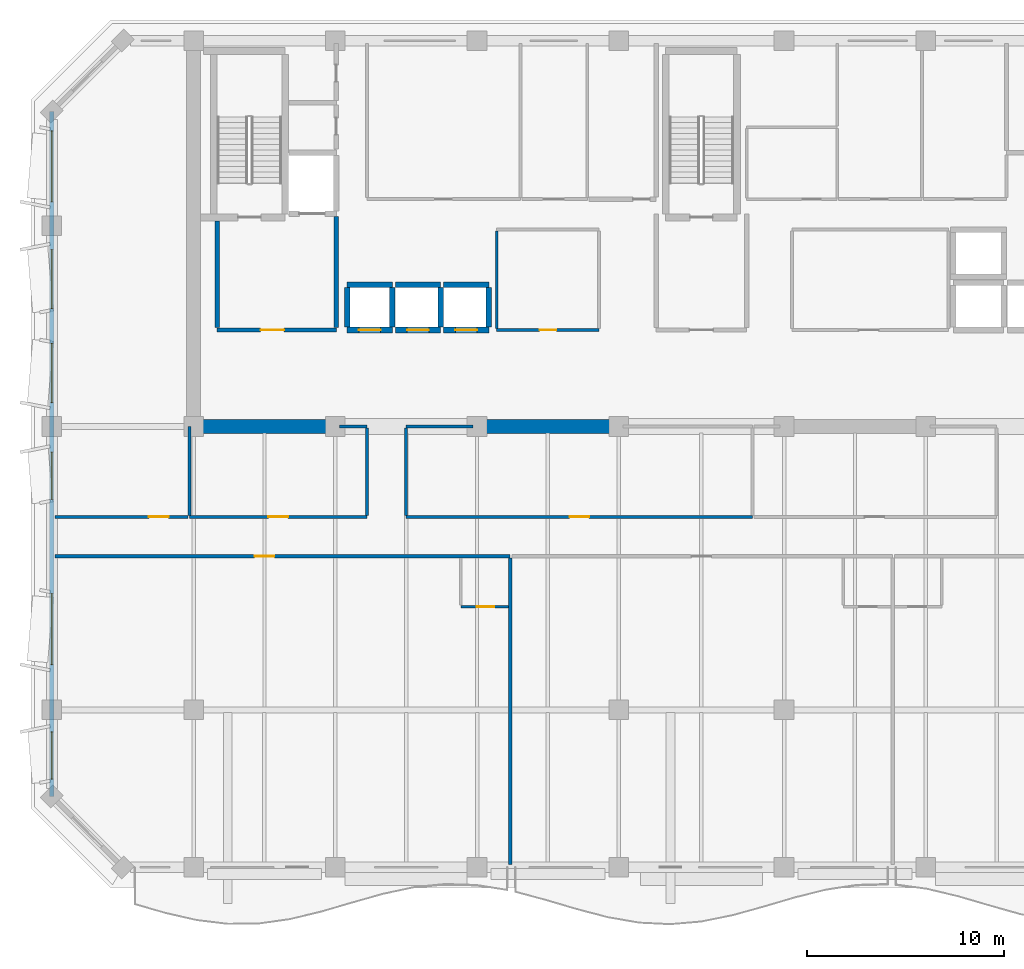
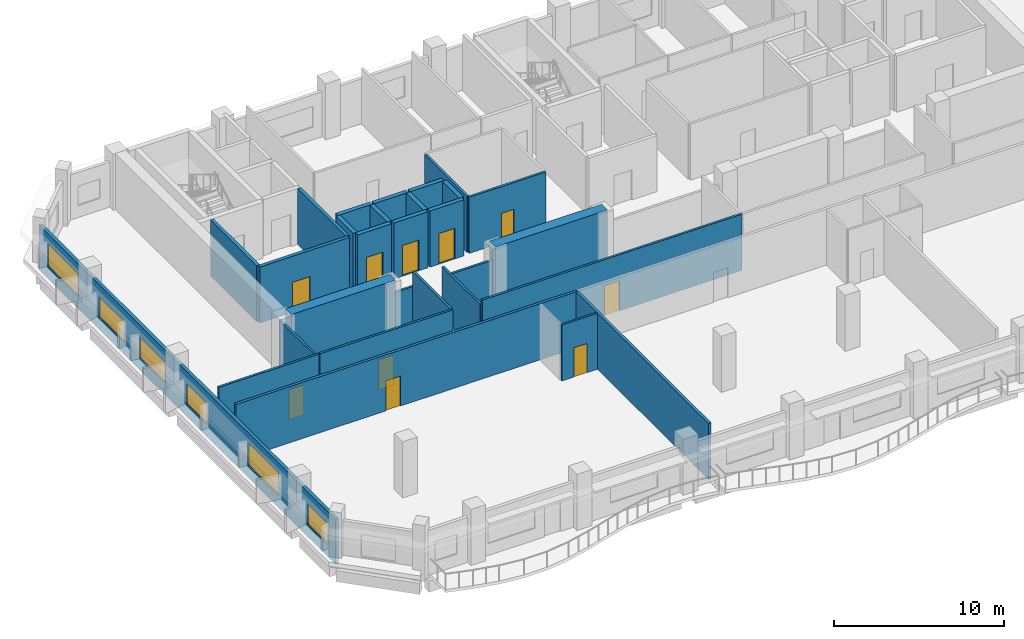
# One storey, part 3 of 10: 29 walls, 10 doors, 6 windows, 16 openings.
"""IFC4 building model written with IfcOpenShell, lengths in metres."""

from ifc_helpers import new_model, si_unit, direction, frame, frame_2d, origin, place, context, subcontext, project, spatial, rectangle, extrude, material, layer, layer_set, type_object, element, fill, save


model = new_model("IFC4")

# Units and contexts
model_context = context("Model", 3, precision=1e-05, world=origin(), true_north=direction((0.0, 1.0)))
body_context = subcontext(model_context, "Body", "Model", "MODEL_VIEW")
ifc_project = project(units=[si_unit("LENGTHUNIT", "METRE"), si_unit("AREAUNIT", "SQUARE_METRE"), si_unit("VOLUMEUNIT", "CUBIC_METRE"), si_unit("PLANEANGLEUNIT", "RADIAN"), si_unit("MASSUNIT", "GRAM", prefix="KILO")], contexts=[model_context])

# Site, building, storey
site_placement = place(None, origin())
site = spatial("IfcSite", under=ifc_project, at=site_placement, CompositionType="ELEMENT")
building_placement = place(site_placement, origin())
building = spatial("IfcBuilding", under=site, at=building_placement, Name="Kaelvorn Grand Hotel", CompositionType="ELEMENT")
storey_placement = place(building_placement, frame((0.0, 0.0, 290.300048828125)))
storey = spatial("IfcBuildingStorey", under=building, at=storey_placement, Name="L71", CompositionType="ELEMENT", Elevation=290.300048828125)

# Walls
ifc_material_1 = material(Name="Concrete C50/60", Category="concrete")
ifc_layer_1 = layer(ifc_material_1, 0.699951171875)
ifc_layer_set_1 = layer_set([ifc_layer_1], Name="Concrete C50/60")
wall_type_1 = type_object("IfcWallType", Name="WL-CORE-700-C50", PredefinedType="SHEAR", material=ifc_layer_set_1)
wall_1_placement = place(storey_placement, frame((16.554931640625, 29.39990234375, 0.0), z_axis=(0.0, 0.0, 1.0), x_axis=(1.0, 0.0, 0.0)))
element("IfcWall", 1, at=wall_1_placement, inside=storey, type_object=wall_type_1, Name="L71 Rear-Core Coupled Shear Pier S1", PredefinedType="SHEAR", context=body_context, shape_type="SweptSolid", body=[
    extrude(rectangle(XDim=7.045166015625, YDim=0.699951171875, at=frame_2d((3.5224609375, 0.0))), origin(), (0.0, 0.0, 1.0), 4.02001953125),
])
wall_2_placement = place(storey_placement, frame((30.39990234375, 29.39990234375, 0.0), z_axis=(0.0, 0.0, 1.0), x_axis=(1.0, 0.0, 0.0)))
element("IfcWall", 2, at=wall_2_placement, inside=storey, type_object=wall_type_1, Name="L71 Rear-Core Coupled Shear Pier S2", PredefinedType="SHEAR", context=body_context, shape_type="SweptSolid", body=[
    extrude(rectangle(XDim=7.60009765625, YDim=0.699951171875, at=frame_2d((3.800048828125, 0.0))), origin(), (0.0, 0.0, 1.0), 4.02001953125),
])

# Wall, openings, windows
ifc_material_2 = material(Name="Concrete C40/50", Category="concrete")
ifc_layer_2 = layer(ifc_material_2, 0.219970703125)
ifc_layer_set_2 = layer_set([ifc_layer_2], Name="Concrete C40/50")
wall_type_2 = type_object("IfcWallType", Name="WL-EXT-220-C40", PredefinedType="SOLIDWALL", material=ifc_layer_set_2)
wall_3_placement = place(storey_placement, frame((9.0, 45.39990234375, 0.0), z_axis=(0.0, 0.0, 1.0), x_axis=(0.0, -1.0, 0.0)))
wall_3 = element("IfcWall", 3, at=wall_3_placement, inside=storey, type_object=wall_type_2, Name="L71 Exterior Architectural Concrete Wall 07", PredefinedType="SOLIDWALL", context=body_context, shape_type="SweptSolid", body=[
    extrude(rectangle(XDim=34.7998046875, YDim=0.219970703125, at=frame_2d((17.39990234375, 0.0))), origin(), (0.0, 0.0, 1.0), 3.219970703125),
])
opening_1_placement = place(wall_3_placement, frame((31.514892578125, 0.0, 0.85009765625)))
opening_1 = element("IfcOpeningElement", 4, at=opening_1_placement, cuts=wall_3, Name="Opening W6", PredefinedType="OPENING", context=body_context, shape_type="SweptSolid", body=[
    extrude(rectangle(XDim=2.39990234375, YDim=1.5, at=frame_2d((1.199951171875, 0.75))), frame((0.0, 0.1201171875, 0.0), z_axis=(0.0, -1.0, 0.0), x_axis=(1.0, 0.0, 0.0)), (0.0, 0.0, 1.0), 0.239990234375),
])
opening_2_placement = place(wall_3_placement, frame((24.5, 0.0, 0.85009765625)))
opening_2 = element("IfcOpeningElement", 5, at=opening_2_placement, cuts=wall_3, Name="Opening W3", PredefinedType="OPENING", context=body_context, shape_type="SweptSolid", body=[
    extrude(rectangle(XDim=3.60009765625, YDim=1.64990234375, at=frame_2d((1.800048828125, 0.824951171875))), frame((0.0, 0.1201171875, 0.0), z_axis=(0.0, -1.0, 0.0), x_axis=(1.0, 0.0, 0.0)), (0.0, 0.0, 1.0), 0.239990234375),
])
opening_3_placement = place(wall_3_placement, frame((17.300048828125, 0.0, 0.85009765625)))
opening_3 = element("IfcOpeningElement", 6, at=opening_3_placement, cuts=wall_3, Name="Opening W6", PredefinedType="OPENING", context=body_context, shape_type="SweptSolid", body=[
    extrude(rectangle(XDim=2.39990234375, YDim=1.5, at=frame_2d((1.199951171875, 0.75))), frame((0.0, 0.1201171875, 0.0), z_axis=(0.0, -1.0, 0.0), x_axis=(1.0, 0.0, 0.0)), (0.0, 0.0, 1.0), 0.239990234375),
])
opening_4_placement = place(wall_3_placement, frame((11.784912109375, 0.0, 0.85009765625)))
opening_4 = element("IfcOpeningElement", 7, at=opening_4_placement, cuts=wall_3, Name="Opening W5", PredefinedType="OPENING", context=body_context, shape_type="SweptSolid", body=[
    extrude(rectangle(XDim=3.0, YDim=1.5, at=frame_2d((1.5, 0.75))), frame((0.0, 0.1201171875, 0.0), z_axis=(0.0, -1.0, 0.0), x_axis=(1.0, 0.0, 0.0)), (0.0, 0.0, 1.0), 0.239990234375),
])
opening_5_placement = place(wall_3_placement, frame((7.014892578125, 0.0, 0.85009765625)))
opening_5 = element("IfcOpeningElement", 8, at=opening_5_placement, cuts=wall_3, Name="Opening W5", PredefinedType="OPENING", context=body_context, shape_type="SweptSolid", body=[
    extrude(rectangle(XDim=3.0, YDim=1.5, at=frame_2d((1.5, 0.75))), frame((0.0, 0.1201171875, 0.0), z_axis=(0.0, -1.0, 0.0), x_axis=(1.0, 0.0, 0.0)), (0.0, 0.0, 1.0), 0.239990234375),
])
opening_6_placement = place(wall_3_placement, frame((0.985107421875, 0.0, 0.85009765625)))
opening_6 = element("IfcOpeningElement", 9, at=opening_6_placement, cuts=wall_3, Name="Opening W3", PredefinedType="OPENING", context=body_context, shape_type="SweptSolid", body=[
    extrude(rectangle(XDim=3.60009765625, YDim=1.64990234375, at=frame_2d((1.800048828125, 0.824951171875))), frame((0.0, 0.1201171875, 0.0), z_axis=(0.0, -1.0, 0.0), x_axis=(1.0, 0.0, 0.0)), (0.0, 0.0, 1.0), 0.239990234375),
])
ifc_material_3 = material(Name="Laminated Low-E Glass", Category="glass")
window_type_1 = type_object("IfcWindowType", Name="WIN-NTH-2400x1500", PartitioningType="SINGLE_PANEL", PredefinedType="WINDOW", material=ifc_material_3)
window_1_placement = place(opening_1_placement, origin())
window_1 = element("IfcWindow", 10, at=window_1_placement, inside=storey, type_object=window_type_1, Name="L71 W Wing Tilted-Frame Ribbon Window W01", OverallHeight=1.5, OverallWidth=2.39990234375, PartitioningType="SINGLE_PANEL", PredefinedType="WINDOW", context=body_context, shape_type="SweptSolid", body=[
    extrude(rectangle(XDim=2.39990234375, YDim=1.5, at=frame_2d((1.199951171875, 0.75))), frame((0.0, 0.030029296875, 0.0), z_axis=(0.0, -1.0, 0.0), x_axis=(1.0, 0.0, 0.0)), (0.0, 0.0, 1.0), 0.06005859375),
])
fill(opening_1, window_1)
window_2_placement = place(opening_3_placement, origin())
window_2 = element("IfcWindow", 11, at=window_2_placement, inside=storey, type_object=window_type_1, Name="L71 W Wing Tilted-Frame Ribbon Window W03", OverallHeight=1.5, OverallWidth=2.39990234375, PartitioningType="SINGLE_PANEL", PredefinedType="WINDOW", context=body_context, shape_type="SweptSolid", body=[
    extrude(rectangle(XDim=2.39990234375, YDim=1.5, at=frame_2d((1.199951171875, 0.75))), frame((0.0, 0.030029296875, 0.0), z_axis=(0.0, -1.0, 0.0), x_axis=(1.0, 0.0, 0.0)), (0.0, 0.0, 1.0), 0.06005859375),
])
fill(opening_3, window_2)
window_type_2 = type_object("IfcWindowType", Name="WIN-NTH-3000x1500", PartitioningType="SINGLE_PANEL", PredefinedType="WINDOW", material=ifc_material_3)
window_3_placement = place(opening_4_placement, origin())
window_3 = element("IfcWindow", 12, at=window_3_placement, inside=storey, type_object=window_type_2, Name="L71 W Wing Tilted-Frame Ribbon Window W04", OverallHeight=1.5, OverallWidth=3.0, PartitioningType="SINGLE_PANEL", PredefinedType="WINDOW", context=body_context, shape_type="SweptSolid", body=[
    extrude(rectangle(XDim=3.0, YDim=1.5, at=frame_2d((1.5, 0.75))), frame((0.0, 0.030029296875, 0.0), z_axis=(0.0, -1.0, 0.0), x_axis=(1.0, 0.0, 0.0)), (0.0, 0.0, 1.0), 0.06005859375),
])
fill(opening_4, window_3)
window_4_placement = place(opening_5_placement, origin())
window_4 = element("IfcWindow", 13, at=window_4_placement, inside=storey, type_object=window_type_2, Name="L71 W Wing Tilted-Frame Ribbon Window W05", OverallHeight=1.5, OverallWidth=3.0, PartitioningType="SINGLE_PANEL", PredefinedType="WINDOW", context=body_context, shape_type="SweptSolid", body=[
    extrude(rectangle(XDim=3.0, YDim=1.5, at=frame_2d((1.5, 0.75))), frame((0.0, 0.030029296875, 0.0), z_axis=(0.0, -1.0, 0.0), x_axis=(1.0, 0.0, 0.0)), (0.0, 0.0, 1.0), 0.06005859375),
])
fill(opening_5, window_4)
window_type_3 = type_object("IfcWindowType", Name="WIN-RIB-3600x1750", PartitioningType="SINGLE_PANEL", PredefinedType="WINDOW", material=ifc_material_3)
window_5_placement = place(opening_2_placement, origin())
window_5 = element("IfcWindow", 14, at=window_5_placement, inside=storey, type_object=window_type_3, Name="L71 W Wing Tilted-Frame Ribbon Window W02", OverallHeight=1.64990234375, OverallWidth=3.60009765625, PartitioningType="SINGLE_PANEL", PredefinedType="WINDOW", context=body_context, shape_type="SweptSolid", body=[
    extrude(rectangle(XDim=3.60009765625, YDim=1.64990234375, at=frame_2d((1.800048828125, 0.824951171875))), frame((0.0, 0.030029296875, 0.0), z_axis=(0.0, -1.0, 0.0), x_axis=(1.0, 0.0, 0.0)), (0.0, 0.0, 1.0), 0.06005859375),
])
fill(opening_2, window_5)
window_6_placement = place(opening_6_placement, origin())
window_6 = element("IfcWindow", 15, at=window_6_placement, inside=storey, type_object=window_type_3, Name="L71 W Wing Tilted-Frame Ribbon Window W06", OverallHeight=1.64990234375, OverallWidth=3.60009765625, PartitioningType="SINGLE_PANEL", PredefinedType="WINDOW", context=body_context, shape_type="SweptSolid", body=[
    extrude(rectangle(XDim=3.60009765625, YDim=1.64990234375, at=frame_2d((1.800048828125, 0.824951171875))), frame((0.0, 0.030029296875, 0.0), z_axis=(0.0, -1.0, 0.0), x_axis=(1.0, 0.0, 0.0)), (0.0, 0.0, 1.0), 0.06005859375),
])
fill(opening_6, window_6)

# Wall, opening, door
ifc_material_4 = material(Name="Moisture-Resistant Tile & Stud Board")
ifc_layer_3 = layer(ifc_material_4, 0.125)
ifc_layer_set_3 = layer_set([ifc_layer_3], Name="Moisture-Resistant Tile & Stud Board")
wall_type_3 = type_object("IfcWallType", Name="WL-PART-125-WET", PredefinedType="PARTITIONING", material=ifc_layer_set_3)
wall_4_placement = place(storey_placement, frame((29.783203125, 20.25, 0.0), z_axis=(0.0, 0.0, 1.0), x_axis=(1.0, 0.0, 0.0)))
wall_4 = element("IfcWall", 16, at=wall_4_placement, inside=storey, type_object=wall_type_3, Name="L71 En-suite Bathroom L71-01 S Partition", PredefinedType="PARTITIONING", context=body_context, shape_type="SweptSolid", body=[
    extrude(rectangle(XDim=2.405029296875, YDim=0.125, at=frame_2d((1.20263671875, 0.0))), origin(), (0.0, 0.0, 1.0), 4.02001953125),
])
opening_7_placement = place(wall_4_placement, frame((0.800048828125, 0.0, 0.0)))
opening_7 = element("IfcOpeningElement", 17, at=opening_7_placement, cuts=wall_4, Name="Opening DI4", PredefinedType="OPENING", context=body_context, shape_type="SweptSolid", body=[
    extrude(rectangle(XDim=0.89990234375, YDim=2.10009765625, at=frame_2d((0.449951171875, 1.050048828125))), frame((0.0, 0.072509765625, 0.0), z_axis=(0.0, -1.0, 0.0), x_axis=(1.0, 0.0, 0.0)), (0.0, 0.0, 1.0), 0.14501953125),
])
ifc_material_5 = material(Name="Timber Veneer Leaf", Category="wood")
door_type_1 = type_object("IfcDoorType", Name="DR-INT-BATH-900x2100", OperationType="NOTDEFINED", PredefinedType="DOOR", material=ifc_material_5)
door_1_placement = place(opening_7_placement, origin())
door_1 = element("IfcDoor", 18, at=door_1_placement, inside=storey, type_object=door_type_1, Name="L71 En-suite Bathroom L71-01 Door", OperationType="SINGLE_SWING_LEFT", OverallHeight=2.10009765625, OverallWidth=0.89990234375, PredefinedType="DOOR", context=body_context, shape_type="SweptSolid", body=[
    extrude(rectangle(XDim=0.89990234375, YDim=2.10009765625, at=frame_2d((0.449951171875, 1.050048828125))), frame((0.0, 0.02490234375, 0.0), z_axis=(0.0, -1.0, 0.0), x_axis=(1.0, 0.0, 0.0)), (0.0, 0.0, 1.0), 0.050048828125),
])
fill(opening_7, door_1)

ifc_material_6 = material(Name="Acoustic Gypsum & Stud Partition")
ifc_layer_4 = layer(ifc_material_6, 0.14990234375)
ifc_layer_set_4 = layer_set([ifc_layer_4], Name="Acoustic Gypsum & Stud Partition")
wall_type_4 = type_object("IfcWallType", Name="WL-PART-150-EI60", PredefinedType="PARTITIONING", material=ifc_layer_set_4)
wall_5_placement = place(storey_placement, frame((31.60009765625, 34.300048828125, 0.0), z_axis=(0.0, 0.0, 1.0), x_axis=(1.0, 0.0, 0.0)))
wall_5 = element("IfcWall", 19, at=wall_5_placement, inside=storey, type_object=wall_type_4, Name="L71 Core Telecoms & BMS Server Room S Partition", PredefinedType="PARTITIONING", context=body_context, shape_type="SweptSolid", body=[
    extrude(rectangle(XDim=5.199951171875, YDim=0.14990234375, at=frame_2d((2.60009765625, 0.0))), origin(), (0.0, 0.0, 1.0), 4.02001953125),
])
opening_8_placement = place(wall_5_placement, frame((2.175048828125, 0.0, 0.0)))
opening_8 = element("IfcOpeningElement", 20, at=opening_8_placement, cuts=wall_5, Name="Opening DI7", PredefinedType="OPENING", context=body_context, shape_type="SweptSolid", body=[
    extrude(rectangle(XDim=0.85009765625, YDim=2.10009765625, at=frame_2d((0.425048828125, 1.050048828125))), frame((0.0, 0.0849609375, 0.0), z_axis=(0.0, -1.0, 0.0), x_axis=(1.0, 0.0, 0.0)), (0.0, 0.0, 1.0), 0.169921875),
])
ifc_material_7 = material(Name="Powder-Coated Steel Leaf", Category="steel")
door_type_2 = type_object("IfcDoorType", Name="DR-INT-RISER-850x2100", OperationType="NOTDEFINED", PredefinedType="DOOR", material=ifc_material_7)
door_2_placement = place(opening_8_placement, origin())
door_2 = element("IfcDoor", 21, at=door_2_placement, inside=storey, type_object=door_type_2, Name="L71 Core Telecoms & BMS Server Room Door", OperationType="SINGLE_SWING_RIGHT", OverallHeight=2.10009765625, OverallWidth=0.85009765625, PredefinedType="DOOR", context=body_context, shape_type="SweptSolid", body=[
    extrude(rectangle(XDim=0.85009765625, YDim=2.10009765625, at=frame_2d((0.425048828125, 1.050048828125))), frame((0.0, 0.02490234375, 0.0), z_axis=(0.0, -1.0, 0.0), x_axis=(1.0, 0.0, 0.0)), (0.0, 0.0, 1.0), 0.050048828125),
])
fill(opening_8, door_2)

# Wall
wall_6_placement = place(storey_placement, frame((31.60009765625, 34.3798828125, 0.0), z_axis=(0.0, 0.0, 1.0), x_axis=(0.0, 1.0, 0.0)))
element("IfcWall", 22, at=wall_6_placement, inside=storey, type_object=wall_type_4, Name="L71 Core Telecoms & BMS Server Room W Partition", PredefinedType="PARTITIONING", context=body_context, shape_type="SweptSolid", body=[
    extrude(rectangle(XDim=4.940185546875, YDim=0.14990234375, at=frame_2d((2.47021484375, 0.0))), origin(), (0.0, 0.0, 1.0), 4.02001953125),
])

# Wall, opening, door
wall_7_placement = place(storey_placement, frame((16.0, 24.800048828125, 0.0), z_axis=(0.0, 0.0, 1.0), x_axis=(1.0, 0.0, 0.0)))
wall_7 = element("IfcWall", 23, at=wall_7_placement, inside=storey, type_object=wall_type_4, Name="L71 Art Gallery Salon S Partition", PredefinedType="PARTITIONING", context=body_context, shape_type="SweptSolid", body=[
    extrude(rectangle(XDim=9.0, YDim=0.14990234375, at=frame_2d((4.5, 0.0))), origin(), (0.0, 0.0, 1.0), 4.02001953125),
])
opening_9_placement = place(wall_7_placement, frame((4.0, 0.0, 0.0)))
opening_9 = element("IfcOpeningElement", 24, at=opening_9_placement, cuts=wall_7, Name="Opening DI3", PredefinedType="OPENING", context=body_context, shape_type="SweptSolid", body=[
    extrude(rectangle(XDim=1.0, YDim=2.14990234375, at=frame_2d((0.5, 1.074951171875))), frame((0.0, 0.0849609375, 0.0), z_axis=(0.0, -1.0, 0.0), x_axis=(1.0, 0.0, 0.0)), (0.0, 0.0, 1.0), 0.169921875),
])
ifc_material_8 = material(Name="Timber Veneer Fire Leaf", Category="wood")
door_type_3 = type_object("IfcDoorType", Name="DR-INT-GUEST-1000x2150", OperationType="NOTDEFINED", PredefinedType="DOOR", material=ifc_material_8)
door_3_placement = place(opening_9_placement, origin())
door_3 = element("IfcDoor", 25, at=door_3_placement, inside=storey, type_object=door_type_3, Name="L71 Art Gallery Salon Door", OperationType="SINGLE_SWING_RIGHT", OverallHeight=2.14990234375, OverallWidth=1.0, PredefinedType="DOOR", context=body_context, shape_type="SweptSolid", body=[
    extrude(rectangle(XDim=1.0, YDim=2.14990234375, at=frame_2d((0.5, 1.074951171875))), frame((0.0, 0.02490234375, 0.0), z_axis=(0.0, -1.0, 0.0), x_axis=(1.0, 0.0, 0.0)), (0.0, 0.0, 1.0), 0.050048828125),
])
fill(opening_9, door_3)

# Walls
wall_8_placement = place(storey_placement, frame((23.610107421875, 29.39990234375, 0.0), z_axis=(0.0, 0.0, 1.0), x_axis=(1.0, 0.0, 0.0)))
element("IfcWall", 26, at=wall_8_placement, inside=storey, type_object=wall_type_4, Name="L71 Art Gallery Salon N Partition", PredefinedType="PARTITIONING", context=body_context, shape_type="SweptSolid", body=[
    extrude(rectangle(XDim=1.389892578125, YDim=0.14990234375, at=frame_2d((0.69482421875, 0.0))), origin(), (0.0, 0.0, 1.0), 2.919921875),
])
wall_9_placement = place(storey_placement, frame((16.0, 24.8798828125, 0.0), z_axis=(0.0, 0.0, 1.0), x_axis=(0.0, 1.0, 0.0)))
element("IfcWall", 27, at=wall_9_placement, inside=storey, type_object=wall_type_4, Name="L71 Art Gallery Salon W Partition", PredefinedType="PARTITIONING", context=body_context, shape_type="SweptSolid", body=[
    extrude(rectangle(XDim=4.510009765625, YDim=0.14990234375, at=frame_2d((2.2548828125, 0.0))), origin(), (0.0, 0.0, 1.0), 3.659912109375),
])
wall_10_placement = place(storey_placement, frame((25.0, 24.8798828125, 0.0), z_axis=(0.0, 0.0, 1.0), x_axis=(0.0, 1.0, 0.0)))
element("IfcWall", 28, at=wall_10_placement, inside=storey, type_object=wall_type_4, Name="L71 Art Gallery Salon E Partition", PredefinedType="PARTITIONING", context=body_context, shape_type="SweptSolid", body=[
    extrude(rectangle(XDim=4.440185546875, YDim=0.14990234375, at=frame_2d((2.22021484375, 0.0))), origin(), (0.0, 0.0, 1.0), 4.02001953125),
])

# Wall, opening, door
wall_11_placement = place(storey_placement, frame((27.0, 24.800048828125, 0.0), z_axis=(0.0, 0.0, 1.0), x_axis=(1.0, 0.0, 0.0)))
wall_11 = element("IfcWall", 29, at=wall_11_placement, inside=storey, type_object=wall_type_4, Name="L71 Pastry & Tea Kitchen S Partition", PredefinedType="PARTITIONING", context=body_context, shape_type="SweptSolid", body=[
    extrude(rectangle(XDim=17.60009765625, YDim=0.14990234375, at=frame_2d((8.800048828125, 0.0))), origin(), (0.0, 0.0, 1.0), 4.02001953125),
])
opening_10_placement = place(wall_11_placement, frame((8.300048828125, 0.0, 0.0)))
opening_10 = element("IfcOpeningElement", 30, at=opening_10_placement, cuts=wall_11, Name="Opening DI3", PredefinedType="OPENING", context=body_context, shape_type="SweptSolid", body=[
    extrude(rectangle(XDim=1.0, YDim=2.14990234375, at=frame_2d((0.5, 1.074951171875))), frame((0.0, 0.0849609375, 0.0), z_axis=(0.0, -1.0, 0.0), x_axis=(1.0, 0.0, 0.0)), (0.0, 0.0, 1.0), 0.169921875),
])
door_4_placement = place(opening_10_placement, origin())
door_4 = element("IfcDoor", 31, at=door_4_placement, inside=storey, type_object=door_type_3, Name="L71 Pastry & Tea Kitchen Door", OperationType="SINGLE_SWING_LEFT", OverallHeight=2.14990234375, OverallWidth=1.0, PredefinedType="DOOR", context=body_context, shape_type="SweptSolid", body=[
    extrude(rectangle(XDim=1.0, YDim=2.14990234375, at=frame_2d((0.5, 1.074951171875))), frame((0.0, 0.02490234375, 0.0), z_axis=(0.0, -1.0, 0.0), x_axis=(1.0, 0.0, 0.0)), (0.0, 0.0, 1.0), 0.050048828125),
])
fill(opening_10, door_4)

# Walls
wall_12_placement = place(storey_placement, frame((27.0, 29.39990234375, 0.0), z_axis=(0.0, 0.0, 1.0), x_axis=(1.0, 0.0, 0.0)))
element("IfcWall", 32, at=wall_12_placement, inside=storey, type_object=wall_type_4, Name="L71 Pastry & Tea Kitchen N Partition (1)", PredefinedType="PARTITIONING", context=body_context, shape_type="SweptSolid", body=[
    extrude(rectangle(XDim=3.389892578125, YDim=0.14990234375, at=frame_2d((1.69482421875, 0.0))), origin(), (0.0, 0.0, 1.0), 2.919921875),
])
wall_13_placement = place(storey_placement, frame((27.0, 24.8798828125, 0.0), z_axis=(0.0, 0.0, 1.0), x_axis=(0.0, 1.0, 0.0)))
element("IfcWall", 33, at=wall_13_placement, inside=storey, type_object=wall_type_4, Name="L71 Pastry & Tea Kitchen W Partition", PredefinedType="PARTITIONING", context=body_context, shape_type="SweptSolid", body=[
    extrude(rectangle(XDim=4.440185546875, YDim=0.14990234375, at=frame_2d((2.22021484375, 0.0))), origin(), (0.0, 0.0, 1.0), 3.659912109375),
])

# Wall, opening, door
wall_14_placement = place(storey_placement, frame((9.14990234375, 24.800048828125, 0.0), z_axis=(0.0, 0.0, 1.0), x_axis=(1.0, 0.0, 0.0)))
wall_14 = element("IfcWall", 34, at=wall_14_placement, inside=storey, type_object=wall_type_4, Name="L71 West Sky VIP Dining Restaurant S Partition", PredefinedType="PARTITIONING", context=body_context, shape_type="SweptSolid", body=[
    extrude(rectangle(XDim=6.77001953125, YDim=0.14990234375, at=frame_2d((3.385009765625, 0.0))), origin(), (0.0, 0.0, 1.0), 4.02001953125),
])
opening_11_placement = place(wall_14_placement, frame((4.780029296875, 0.0, 0.0)))
opening_11 = element("IfcOpeningElement", 35, at=opening_11_placement, cuts=wall_14, Name="Opening DI3", PredefinedType="OPENING", context=body_context, shape_type="SweptSolid", body=[
    extrude(rectangle(XDim=1.0, YDim=2.14990234375, at=frame_2d((0.5, 1.074951171875))), frame((0.0, 0.0849609375, 0.0), z_axis=(0.0, -1.0, 0.0), x_axis=(1.0, 0.0, 0.0)), (0.0, 0.0, 1.0), 0.169921875),
])
door_5_placement = place(opening_11_placement, origin())
door_5 = element("IfcDoor", 36, at=door_5_placement, inside=storey, type_object=door_type_3, Name="L71 West Sky VIP Dining Restaurant Door", OperationType="SINGLE_SWING_RIGHT", OverallHeight=2.14990234375, OverallWidth=1.0, PredefinedType="DOOR", context=body_context, shape_type="SweptSolid", body=[
    extrude(rectangle(XDim=1.0, YDim=2.14990234375, at=frame_2d((0.5, 1.074951171875))), frame((0.0, 0.02490234375, 0.0), z_axis=(0.0, -1.0, 0.0), x_axis=(1.0, 0.0, 0.0)), (0.0, 0.0, 1.0), 0.050048828125),
])
fill(opening_11, door_5)

ifc_layer_5 = layer(ifc_material_6, 0.179931640625)
ifc_layer_set_5 = layer_set([ifc_layer_5], Name="Acoustic Gypsum & Stud Partition")
wall_type_5 = type_object("IfcWallType", Name="WL-PART-180-EI60", PredefinedType="PARTITIONING", material=ifc_layer_set_5)
wall_15_placement = place(storey_placement, frame((9.14990234375, 22.800048828125, 0.0), z_axis=(0.0, 0.0, 1.0), x_axis=(1.0, 0.0, 0.0)))
wall_15 = element("IfcWall", 37, at=wall_15_placement, inside=storey, type_object=wall_type_5, Name="L71 Presidential Sky Suite L71-01 N Partition", PredefinedType="PARTITIONING", context=body_context, shape_type="SweptSolid", body=[
    extrude(rectangle(XDim=23.13330078125, YDim=0.179931640625, at=frame_2d((11.566650390625, 0.0))), origin(), (0.0, 0.0, 1.0), 4.02001953125),
])
opening_12_placement = place(wall_15_placement, frame((10.14990234375, 0.0, 0.0)))
opening_12 = element("IfcOpeningElement", 38, at=opening_12_placement, cuts=wall_15, Name="Opening DI3", PredefinedType="OPENING", context=body_context, shape_type="SweptSolid", body=[
    extrude(rectangle(XDim=1.0, YDim=2.14990234375, at=frame_2d((0.5, 1.074951171875))), frame((0.0, 0.10009765625, 0.0), z_axis=(0.0, -1.0, 0.0), x_axis=(1.0, 0.0, 0.0)), (0.0, 0.0, 1.0), 0.199951171875),
])
door_6_placement = place(opening_12_placement, origin())
door_6 = element("IfcDoor", 39, at=door_6_placement, inside=storey, type_object=door_type_3, Name="L71 Presidential Sky Suite L71-01 Door", OperationType="SINGLE_SWING_RIGHT", OverallHeight=2.14990234375, OverallWidth=1.0, PredefinedType="DOOR", context=body_context, shape_type="SweptSolid", body=[
    extrude(rectangle(XDim=1.0, YDim=2.14990234375, at=frame_2d((0.5, 1.074951171875))), frame((0.0, 0.02490234375, 0.0), z_axis=(0.0, -1.0, 0.0), x_axis=(1.0, 0.0, 0.0)), (0.0, 0.0, 1.0), 0.050048828125),
])
fill(opening_12, door_6)

# Wall
wall_16_placement = place(storey_placement, frame((32.283203125, 7.14990234375, 0.0), z_axis=(0.0, 0.0, 1.0), x_axis=(0.0, 1.0, 0.0)))
element("IfcWall", 40, at=wall_16_placement, inside=storey, type_object=wall_type_5, Name="L71 Presidential Sky Suite L71-01 E Partition", PredefinedType="PARTITIONING", context=body_context, shape_type="SweptSolid", body=[
    extrude(rectangle(XDim=15.55517578125, YDim=0.179931640625, at=frame_2d((7.777587890625, 0.0))), origin(), (0.0, 0.0, 1.0), 4.02001953125),
])

# Wall, opening, door
ifc_layer_6 = layer(ifc_material_2, 0.219970703125)
ifc_layer_set_6 = layer_set([ifc_layer_6], Name="Concrete C40/50")
wall_type_6 = type_object("IfcWallType", Name="WL-PART-220-EI120", PredefinedType="PARTITIONING", material=ifc_layer_set_6)
wall_17_placement = place(storey_placement, frame((17.39990234375, 34.300048828125, 0.0), z_axis=(0.0, 0.0, 1.0), x_axis=(1.0, 0.0, 0.0)))
wall_17 = element("IfcWall", 41, at=wall_17_placement, inside=storey, type_object=wall_type_6, Name="L71 Firefighting Lift Lobby 1 S Partition", PredefinedType="PARTITIONING", context=body_context, shape_type="SweptSolid", body=[
    extrude(rectangle(XDim=6.050048828125, YDim=0.219970703125, at=frame_2d((3.02490234375, 0.0))), origin(), (0.0, 0.0, 1.0), 4.02001953125),
])
opening_13_placement = place(wall_17_placement, frame((2.199951171875, 0.0, 0.0)))
opening_13 = element("IfcOpeningElement", 42, at=opening_13_placement, cuts=wall_17, Name="Opening DI2", PredefinedType="OPENING", context=body_context, shape_type="SweptSolid", body=[
    extrude(rectangle(XDim=1.199951171875, YDim=2.14990234375, at=frame_2d((0.60009765625, 1.074951171875))), frame((0.0, 0.1201171875, 0.0), z_axis=(0.0, -1.0, 0.0), x_axis=(1.0, 0.0, 0.0)), (0.0, 0.0, 1.0), 0.239990234375),
])
door_type_4 = type_object("IfcDoorType", Name="DR-INT-FFLOB-1200x2150", OperationType="NOTDEFINED", PredefinedType="DOOR", material=ifc_material_8)
door_7_placement = place(opening_13_placement, origin())
door_7 = element("IfcDoor", 43, at=door_7_placement, inside=storey, type_object=door_type_4, Name="L71 Firefighting Lift Lobby 1 Door", OperationType="SINGLE_SWING_RIGHT", OverallHeight=2.14990234375, OverallWidth=1.199951171875, PredefinedType="DOOR", context=body_context, shape_type="SweptSolid", body=[
    extrude(rectangle(XDim=1.199951171875, YDim=2.14990234375, at=frame_2d((0.60009765625, 1.074951171875))), frame((0.0, 0.02490234375, 0.0), z_axis=(0.0, -1.0, 0.0), x_axis=(1.0, 0.0, 0.0)), (0.0, 0.0, 1.0), 0.050048828125),
])
fill(opening_13, door_7)

# Walls
wall_18_placement = place(storey_placement, frame((17.39990234375, 34.4150390625, 0.0), z_axis=(0.0, 0.0, 1.0), x_axis=(0.0, 1.0, 0.0)))
element("IfcWall", 44, at=wall_18_placement, inside=storey, type_object=wall_type_6, Name="L71 Firefighting Lift Lobby 1 W Partition", PredefinedType="PARTITIONING", context=body_context, shape_type="SweptSolid", body=[
    extrude(rectangle(XDim=5.429931640625, YDim=0.219970703125, at=frame_2d((2.71484375, 0.0))), origin(), (0.0, 0.0, 1.0), 4.02001953125),
])
wall_19_placement = place(storey_placement, frame((23.449951171875, 34.4150390625, 0.0), z_axis=(0.0, 0.0, 1.0), x_axis=(0.0, 1.0, 0.0)))
element("IfcWall", 45, at=wall_19_placement, inside=storey, type_object=wall_type_6, Name="L71 Firefighting Lift Lobby 1 E Partition", PredefinedType="PARTITIONING", context=body_context, shape_type="SweptSolid", body=[
    extrude(rectangle(XDim=5.639892578125, YDim=0.219970703125, at=frame_2d((2.81982421875, 0.0))), origin(), (0.0, 0.0, 1.0), 4.02001953125),
])

# Wall, opening, door
ifc_layer_7 = layer(ifc_material_1, 0.280029296875)
ifc_layer_set_7 = layer_set([ifc_layer_7], Name="Concrete C50/60")
wall_type_7 = type_object("IfcWallType", Name="WL-SHAFT-280-C50", PredefinedType="SHEAR", material=ifc_layer_set_7)
wall_20_placement = place(storey_placement, frame((24.0, 34.300048828125, 0.0), z_axis=(0.0, 0.0, 1.0), x_axis=(1.0, 0.0, 0.0)))
wall_20 = element("IfcWall", 46, at=wall_20_placement, inside=storey, type_object=wall_type_7, Name="L71 Lift PL-H1 Shaft South Wall", PredefinedType="SHEAR", context=body_context, shape_type="SweptSolid", body=[
    extrude(rectangle(XDim=2.300048828125, YDim=0.280029296875, at=frame_2d((1.14990234375, 0.0))), origin(), (0.0, 0.0, 1.0), 4.02001953125),
])
opening_14_placement = place(wall_20_placement, frame((0.60009765625, 0.0, 0.0)))
opening_14 = element("IfcOpeningElement", 47, at=opening_14_placement, cuts=wall_20, Name="Opening LD-PL-H1", PredefinedType="OPENING", context=body_context, shape_type="SweptSolid", body=[
    extrude(rectangle(XDim=1.10009765625, YDim=2.199951171875, at=frame_2d((0.550048828125, 1.10009765625))), frame((0.0, 0.14990234375, 0.0), z_axis=(0.0, -1.0, 0.0), x_axis=(1.0, 0.0, 0.0)), (0.0, 0.0, 1.0), 0.300048828125),
])
ifc_material_9 = material(Name="Stainless Steel", Category="steel")
door_type_5 = type_object("IfcDoorType", Name="DR-LIFT-PASS-1100x2200", OperationType="DOUBLE_DOOR_SLIDING", PredefinedType="DOOR", material=ifc_material_9)
door_8_placement = place(opening_14_placement, origin())
door_8 = element("IfcDoor", 48, at=door_8_placement, inside=storey, type_object=door_type_5, Name="L71 Lift PL-H1 Sliding Landing Door LD-PL-H1", OperationType="DOUBLE_DOOR_SLIDING", OverallHeight=2.199951171875, OverallWidth=1.10009765625, PredefinedType="DOOR", context=body_context, shape_type="SweptSolid", body=[
    extrude(rectangle(XDim=1.10009765625, YDim=2.199951171875, at=frame_2d((0.550048828125, 1.10009765625))), frame((0.0, 0.02490234375, 0.0), z_axis=(0.0, -1.0, 0.0), x_axis=(1.0, 0.0, 0.0)), (0.0, 0.0, 1.0), 0.050048828125),
])
fill(opening_14, door_8)

# Walls
wall_21_placement = place(storey_placement, frame((24.0, 36.60009765625, 0.0), z_axis=(0.0, 0.0, 1.0), x_axis=(1.0, 0.0, 0.0)))
element("IfcWall", 49, at=wall_21_placement, inside=storey, type_object=wall_type_7, Name="L71 Lift PL-H1 Shaft North Wall", PredefinedType="SHEAR", context=body_context, shape_type="SweptSolid", body=[
    extrude(rectangle(XDim=2.300048828125, YDim=0.280029296875, at=frame_2d((1.14990234375, 0.0))), origin(), (0.0, 0.0, 1.0), 4.02001953125),
])
for number, where, z_axis, x_axis, name in (
    (50, (24.0, 34.445068359375, 0.0), (0.0, 0.0, 1.0), (0.0, 1.0, 0.0), "L71 Lift PL-H1 Shaft West Wall"),
    (51, (26.300048828125, 34.445068359375, 0.0), (0.0, 0.0, 1.0), (0.0, 1.0, 0.0), "L71 Lift PL-H1 Shaft East Wall"),
):
    element("IfcWall", number, at=place(storey_placement, frame(where, z_axis=z_axis, x_axis=x_axis)), inside=storey, type_object=wall_type_7, Name=name, PredefinedType="SHEAR", context=body_context, shape_type="SweptSolid", body=[
        extrude(rectangle(XDim=2.010009765625, YDim=0.280029296875, at=frame_2d((1.0048828125, 0.0))), origin(), (0.0, 0.0, 1.0), 4.02001953125),
    ])

# Wall, opening, door
wall_22_placement = place(storey_placement, frame((26.449951171875, 34.300048828125, 0.0), z_axis=(0.0, 0.0, 1.0), x_axis=(1.0, 0.0, 0.0)))
wall_22 = element("IfcWall", 52, at=wall_22_placement, inside=storey, type_object=wall_type_7, Name="L71 Lift PL-H2 Shaft South Wall", PredefinedType="SHEAR", context=body_context, shape_type="SweptSolid", body=[
    extrude(rectangle(XDim=2.300048828125, YDim=0.280029296875, at=frame_2d((1.14990234375, 0.0))), origin(), (0.0, 0.0, 1.0), 4.02001953125),
])
opening_15_placement = place(wall_22_placement, frame((0.60009765625, 0.0, 0.0)))
opening_15 = element("IfcOpeningElement", 53, at=opening_15_placement, cuts=wall_22, Name="Opening LD-PL-H2", PredefinedType="OPENING", context=body_context, shape_type="SweptSolid", body=[
    extrude(rectangle(XDim=1.10009765625, YDim=2.199951171875, at=frame_2d((0.550048828125, 1.10009765625))), frame((0.0, 0.14990234375, 0.0), z_axis=(0.0, -1.0, 0.0), x_axis=(1.0, 0.0, 0.0)), (0.0, 0.0, 1.0), 0.300048828125),
])
door_9_placement = place(opening_15_placement, origin())
door_9 = element("IfcDoor", 54, at=door_9_placement, inside=storey, type_object=door_type_5, Name="L71 Lift PL-H2 Sliding Landing Door LD-PL-H2", OperationType="DOUBLE_DOOR_SLIDING", OverallHeight=2.199951171875, OverallWidth=1.10009765625, PredefinedType="DOOR", context=body_context, shape_type="SweptSolid", body=[
    extrude(rectangle(XDim=1.10009765625, YDim=2.199951171875, at=frame_2d((0.550048828125, 1.10009765625))), frame((0.0, 0.02490234375, 0.0), z_axis=(0.0, -1.0, 0.0), x_axis=(1.0, 0.0, 0.0)), (0.0, 0.0, 1.0), 0.050048828125),
])
fill(opening_15, door_9)

# Walls
wall_23_placement = place(storey_placement, frame((26.449951171875, 36.60009765625, 0.0), z_axis=(0.0, 0.0, 1.0), x_axis=(1.0, 0.0, 0.0)))
element("IfcWall", 55, at=wall_23_placement, inside=storey, type_object=wall_type_7, Name="L71 Lift PL-H2 Shaft North Wall", PredefinedType="SHEAR", context=body_context, shape_type="SweptSolid", body=[
    extrude(rectangle(XDim=2.300048828125, YDim=0.280029296875, at=frame_2d((1.14990234375, 0.0))), origin(), (0.0, 0.0, 1.0), 4.02001953125),
])
wall_24_placement = place(storey_placement, frame((28.75, 34.445068359375, 0.0), z_axis=(0.0, 0.0, 1.0), x_axis=(0.0, 1.0, 0.0)))
element("IfcWall", 56, at=wall_24_placement, inside=storey, type_object=wall_type_7, Name="L71 Lift PL-H2 Shaft East Wall", PredefinedType="SHEAR", context=body_context, shape_type="SweptSolid", body=[
    extrude(rectangle(XDim=2.010009765625, YDim=0.280029296875, at=frame_2d((1.0048828125, 0.0))), origin(), (0.0, 0.0, 1.0), 4.02001953125),
])

# Wall, opening, door
wall_25_placement = place(storey_placement, frame((28.89990234375, 34.300048828125, 0.0), z_axis=(0.0, 0.0, 1.0), x_axis=(1.0, 0.0, 0.0)))
wall_25 = element("IfcWall", 57, at=wall_25_placement, inside=storey, type_object=wall_type_7, Name="L71 Lift PL-H3 Shaft South Wall", PredefinedType="SHEAR", context=body_context, shape_type="SweptSolid", body=[
    extrude(rectangle(XDim=2.300048828125, YDim=0.280029296875, at=frame_2d((1.14990234375, 0.0))), origin(), (0.0, 0.0, 1.0), 4.02001953125),
])
opening_16_placement = place(wall_25_placement, frame((0.60009765625, 0.0, 0.0)))
opening_16 = element("IfcOpeningElement", 58, at=opening_16_placement, cuts=wall_25, Name="Opening LD-PL-H3", PredefinedType="OPENING", context=body_context, shape_type="SweptSolid", body=[
    extrude(rectangle(XDim=1.10009765625, YDim=2.199951171875, at=frame_2d((0.550048828125, 1.10009765625))), frame((0.0, 0.14990234375, 0.0), z_axis=(0.0, -1.0, 0.0), x_axis=(1.0, 0.0, 0.0)), (0.0, 0.0, 1.0), 0.300048828125),
])
door_10_placement = place(opening_16_placement, origin())
door_10 = element("IfcDoor", 59, at=door_10_placement, inside=storey, type_object=door_type_5, Name="L71 Lift PL-H3 Sliding Landing Door LD-PL-H3", OperationType="DOUBLE_DOOR_SLIDING", OverallHeight=2.199951171875, OverallWidth=1.10009765625, PredefinedType="DOOR", context=body_context, shape_type="SweptSolid", body=[
    extrude(rectangle(XDim=1.10009765625, YDim=2.199951171875, at=frame_2d((0.550048828125, 1.10009765625))), frame((0.0, 0.02490234375, 0.0), z_axis=(0.0, -1.0, 0.0), x_axis=(1.0, 0.0, 0.0)), (0.0, 0.0, 1.0), 0.050048828125),
])
fill(opening_16, door_10)

# Walls
wall_26_placement = place(storey_placement, frame((28.89990234375, 36.60009765625, 0.0), z_axis=(0.0, 0.0, 1.0), x_axis=(1.0, 0.0, 0.0)))
element("IfcWall", 60, at=wall_26_placement, inside=storey, type_object=wall_type_7, Name="L71 Lift PL-H3 Shaft North Wall", PredefinedType="SHEAR", context=body_context, shape_type="SweptSolid", body=[
    extrude(rectangle(XDim=2.300048828125, YDim=0.280029296875, at=frame_2d((1.14990234375, 0.0))), origin(), (0.0, 0.0, 1.0), 4.02001953125),
])
wall_27_placement = place(storey_placement, frame((31.199951171875, 34.445068359375, 0.0), z_axis=(0.0, 0.0, 1.0), x_axis=(0.0, 1.0, 0.0)))
element("IfcWall", 61, at=wall_27_placement, inside=storey, type_object=wall_type_7, Name="L71 Lift PL-H3 Shaft East Wall", PredefinedType="SHEAR", context=body_context, shape_type="SweptSolid", body=[
    extrude(rectangle(XDim=2.010009765625, YDim=0.280029296875, at=frame_2d((1.0048828125, 0.0))), origin(), (0.0, 0.0, 1.0), 4.02001953125),
])

save(model, "model.ifc")
